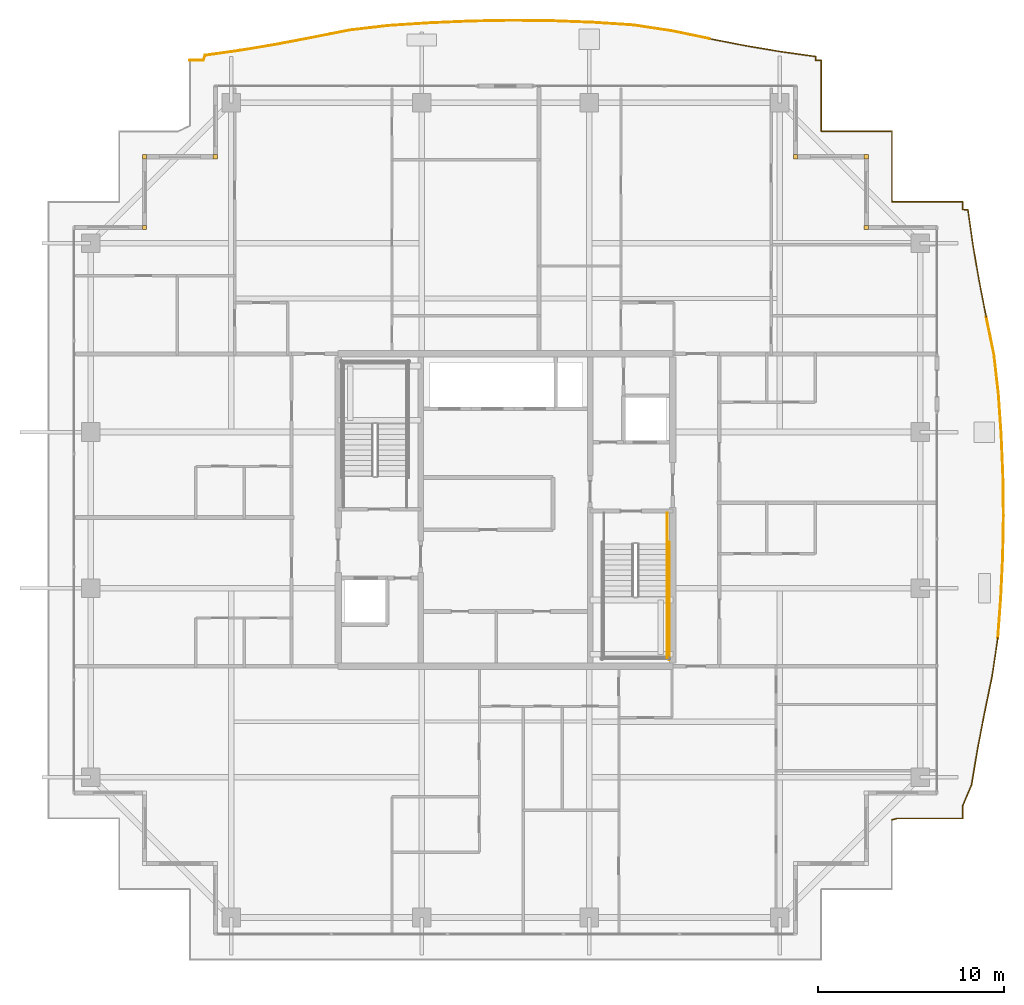
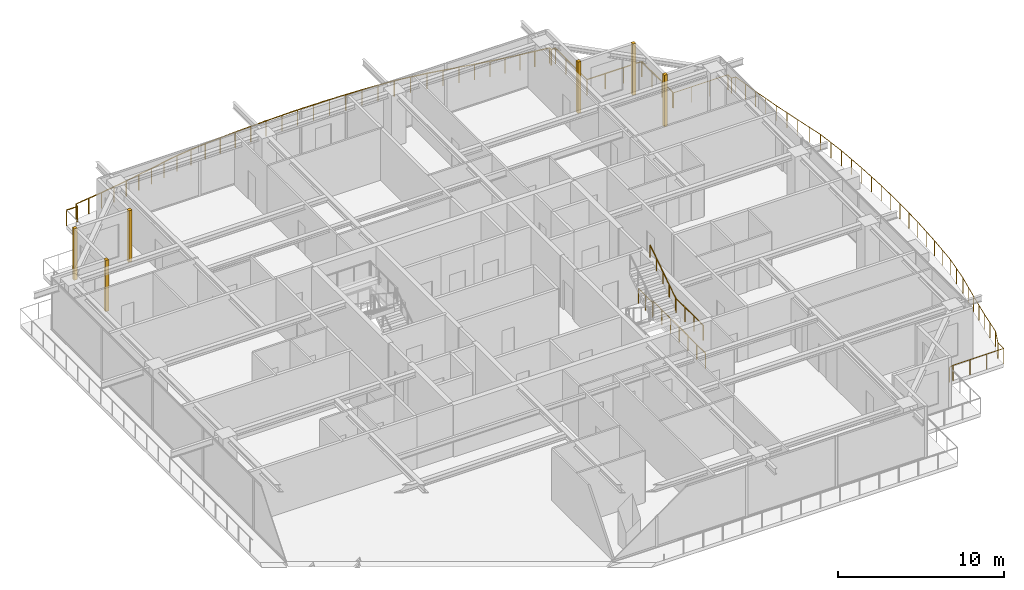
# One storey, part 39 of 39: 10 railings, 6 coverings.
"""IFC4 building model written with IfcOpenShell, lengths in metres."""

from ifc_helpers import new_model, si_unit, direction, frame, origin, origin_2d, place, context, subcontext, project, spatial, rectangle, circle, extrude, source, transform, mapped, material, layer, layer_set, type_object, element, save


model = new_model("IFC4")

# Units and contexts
model_context = context("Model", 3, precision=1e-05, world=origin(), true_north=direction((0.0, 1.0)))
body_context = subcontext(model_context, "Body", "Model", "MODEL_VIEW")
ifc_project = project(units=[si_unit("LENGTHUNIT", "METRE"), si_unit("AREAUNIT", "SQUARE_METRE"), si_unit("VOLUMEUNIT", "CUBIC_METRE"), si_unit("PLANEANGLEUNIT", "RADIAN"), si_unit("MASSUNIT", "GRAM", prefix="KILO")], contexts=[model_context])

# Site, building, storey
site_placement = place(None, origin())
site = spatial("IfcSite", under=ifc_project, at=site_placement, CompositionType="ELEMENT")
building_placement = place(site_placement, origin())
building = spatial("IfcBuilding", under=site, at=building_placement, Name="Serunith Strait Residences", CompositionType="ELEMENT")
storey_placement = place(building_placement, frame((0.0, 0.0, 329.89990234375)))
storey = spatial("IfcBuildingStorey", under=building, at=storey_placement, Name="L82", CompositionType="ELEMENT", Elevation=329.89990234375)

# Railings
ifc_material_1 = material(Name="Stainless Steel & Laminated Glass Balustrade", Category="steel")
railing_type_1 = type_object("IfcRailingType", Name="RLG-BALC-1150", PredefinedType="BALUSTRADE", material=ifc_material_1)
railing_1_placement = place(storey_placement, frame((15.419921875, 49.3798828125, -0.0498046875)))
element("IfcRailing", 1, at=railing_1_placement, inside=storey, type_object=railing_type_1, Name="L82 Swirling Balcony Perimeter Balustrade 1", PredefinedType="BALUSTRADE", context=body_context, shape_type="SweptSolid", body=[
    extrude(circle(Radius=0.02392578125, at=origin_2d()), frame((0.001953125, 0.0, 1.1259765625), z_axis=(1.0, 0.0, 0.0), x_axis=(0.0, 1.0, 0.0)), (0.0, 0.0, 1.0), 0.73095703125),
    extrude(circle(Radius=0.02392578125, at=origin_2d()), frame((0.735595703125, 0.001953125, 1.1259765625), z_axis=(0.314933225604, 0.949113830587, 0.0), x_axis=(-0.949113830587, 0.314933225604, 0.0)), (0.0, 0.0, 1.0), 0.279052734375),
    extrude(circle(Radius=0.02392578125, at=origin_2d()), frame((0.825927734375, 0.268798828125, 1.1259765625), z_axis=(0.990314843026, 0.138839877851, 0.0), x_axis=(-0.138839877851, 0.990314843026, 0.0)), (0.0, 0.0, 1.0), 1.916259765625),
    extrude(circle(Radius=0.02392578125, at=origin_2d()), frame((2.7275390625, 0.535400390625, 1.1259765625), z_axis=(0.986230662404, 0.165375574179, 0.0), x_axis=(-0.165375574179, 0.986230662404, 0.0)), (0.0, 0.0, 1.0), 1.941650390625),
    extrude(circle(Radius=0.02392578125, at=origin_2d()), frame((4.646484375, 0.857421875, 1.1259765625), z_axis=(0.982424451701, 0.186660645823, 0.0), x_axis=(-0.186660645823, 0.982424451701, 0.0)), (0.0, 0.0, 1.0), 1.984130859375),
    extrude(circle(Radius=0.02392578125, at=origin_2d()), frame((6.599609375, 1.228515625, 1.1259765625), z_axis=(0.98063114007, 0.195863644213, 0.0), x_axis=(-0.195863644213, 0.98063114007, 0.0)), (0.0, 0.0, 1.0), 2.04150390625),
    extrude(circle(Radius=0.02392578125, at=origin_2d()), frame((8.60546875, 1.62890625, 1.1259765625), z_axis=(0.9934461133, 0.114301443424, 0.0), x_axis=(-0.114301443424, 0.9934461133, 0.0)), (0.0, 0.0, 1.0), 2.121337890625),
    extrude(circle(Radius=0.02392578125, at=origin_2d()), frame((10.716796875, 1.871826171875, 1.1259765625), z_axis=(0.997902889953, 0.064728836105, 0.0), x_axis=(-0.064728836105, 0.997902889953, 0.0)), (0.0, 0.0, 1.0), 2.16845703125),
    extrude(circle(Radius=0.02099609375, at=origin_2d()), origin(), (0.0, 0.0, 1.0), 1.099853515625),
    extrude(circle(Radius=0.02099609375, at=origin_2d()), frame((0.73486328125, 0.0, 0.0)), (0.0, 0.0, 1.0), 1.099853515625),
    extrude(circle(Radius=0.02099609375, at=origin_2d()), frame((0.823974609375, 0.2685546875, 0.0)), (0.0, 0.0, 1.0), 1.099853515625),
    extrude(circle(Radius=0.02099609375, at=origin_2d()), frame((1.77490234375, 0.40185546875, 0.0)), (0.0, 0.0, 1.0), 1.099853515625),
    extrude(circle(Radius=0.02099609375, at=origin_2d()), frame((2.7255859375, 0.53515625, 0.0)), (0.0, 0.0, 1.0), 1.099853515625),
    extrude(circle(Radius=0.02099609375, at=origin_2d()), frame((3.68505859375, 0.696044921875, 0.0)), (0.0, 0.0, 1.0), 1.099853515625),
    extrude(circle(Radius=0.02099609375, at=origin_2d()), frame((4.64453125, 0.85693359375, 0.0)), (0.0, 0.0, 1.0), 1.099853515625),
    extrude(circle(Radius=0.02099609375, at=origin_2d()), frame((5.62109375, 1.04248046875, 0.0)), (0.0, 0.0, 1.0), 1.099853515625),
    extrude(circle(Radius=0.02099609375, at=origin_2d()), frame((6.59765625, 1.22802734375, 0.0)), (0.0, 0.0, 1.0), 1.099853515625),
    extrude(circle(Radius=0.02099609375, at=origin_2d()), frame((7.6005859375, 1.42822265625, 0.0)), (0.0, 0.0, 1.0), 1.099853515625),
    extrude(circle(Radius=0.02099609375, at=origin_2d()), frame((8.603515625, 1.628662109375, 0.0)), (0.0, 0.0, 1.0), 1.099853515625),
    extrude(circle(Radius=0.02099609375, at=origin_2d()), frame((9.6591796875, 1.75, 0.0)), (0.0, 0.0, 1.0), 1.099853515625),
    extrude(circle(Radius=0.02099609375, at=origin_2d()), frame((10.71484375, 1.87158203125, 0.0)), (0.0, 0.0, 1.0), 1.099853515625),
    extrude(circle(Radius=0.02099609375, at=origin_2d()), frame((11.798828125, 1.94189453125, 0.0)), (0.0, 0.0, 1.0), 1.099853515625),
    extrude(circle(Radius=0.02099609375, at=origin_2d()), frame((12.8828125, 2.01220703125, 0.0)), (0.0, 0.0, 1.0), 1.099853515625),
])
railing_2_placement = place(storey_placement, frame((28.302734375, 51.39208984375, -0.0498046875)))
element("IfcRailing", 2, at=railing_2_placement, inside=storey, type_object=railing_type_1, Name="L82 Swirling Balcony Perimeter Balustrade 2", PredefinedType="BALUSTRADE", context=body_context, shape_type="SweptSolid", body=[
    extrude(circle(Radius=0.02392578125, at=origin_2d()), frame((0.001953125, 0.0, 1.1259765625), z_axis=(0.99905069887, 0.043562611119, 0.0), x_axis=(-0.043562611119, 0.99905069887, 0.0)), (0.0, 0.0, 1.0), 2.19287109375),
    extrude(circle(Radius=0.02392578125, at=origin_2d()), frame((2.19677734375, 0.095703125, 1.1259765625), z_axis=(0.999837983712, 0.018000175762, 0.0), x_axis=(-0.018000175762, 0.999837983712, 0.0)), (0.0, 0.0, 1.0), 2.206787109375),
    extrude(circle(Radius=0.02392578125, at=origin_2d()), frame((4.4072265625, 0.135498046875, 1.1259765625), z_axis=(0.999948401246, -0.010158486408, 0.0), x_axis=(0.010158486408, 0.999948401246, 0.0)), (0.0, 0.0, 1.0), 2.20703125),
    extrude(circle(Radius=0.02392578125, at=origin_2d()), frame((6.6181640625, 0.113037109375, 1.1259765625), z_axis=(0.999248154639, -0.038770161864, 0.0), x_axis=(0.038770161864, 0.999248154639, 0.0)), (0.0, 0.0, 1.0), 2.193603515625),
    extrude(circle(Radius=0.02392578125, at=origin_2d()), frame((8.814208984375, 0.027587890625, 1.1259765625), z_axis=(0.997886449937, -0.064981790003, 0.0), x_axis=(0.064981790003, 0.997886449937, 0.0)), (0.0, 0.0, 1.0), 2.16748046875),
    extrude(circle(Radius=0.02392578125, at=origin_2d()), frame((10.981201171875, -0.113525390625, 1.1259765625), z_axis=(0.98863157781, -0.150358250049, 0.0), x_axis=(0.150358250049, 0.98863157781, 0.0)), (0.0, 0.0, 1.0), 2.10205078125),
    extrude(circle(Radius=0.02392578125, at=origin_2d()), frame((13.063232421875, -0.430419921875, 1.1259765625), z_axis=(0.979201960195, -0.202887952205, 0.0), x_axis=(0.202887952205, 0.979201960195, 0.0)), (0.0, 0.0, 1.0), 2.026123046875),
    extrude(circle(Radius=0.02099609375, at=origin_2d()), origin(), (0.0, 0.0, 1.0), 1.099853515625),
    extrude(circle(Radius=0.02099609375, at=origin_2d()), frame((1.097412109375, 0.0478515625, 0.0)), (0.0, 0.0, 1.0), 1.099853515625),
    extrude(circle(Radius=0.02099609375, at=origin_2d()), frame((2.19482421875, 0.095703125, 0.0)), (0.0, 0.0, 1.0), 1.099853515625),
    extrude(circle(Radius=0.02099609375, at=origin_2d()), frame((3.300048828125, 0.11572265625, 0.0)), (0.0, 0.0, 1.0), 1.099853515625),
    extrude(circle(Radius=0.02099609375, at=origin_2d()), frame((4.4052734375, 0.135498046875, 0.0)), (0.0, 0.0, 1.0), 1.099853515625),
    extrude(circle(Radius=0.02099609375, at=origin_2d()), frame((5.5107421875, 0.124267578125, 0.0)), (0.0, 0.0, 1.0), 1.099853515625),
    extrude(circle(Radius=0.02099609375, at=origin_2d()), frame((6.6162109375, 0.113037109375, 0.0)), (0.0, 0.0, 1.0), 1.099853515625),
    extrude(circle(Radius=0.02099609375, at=origin_2d()), frame((7.71435546875, 0.0703125, 0.0)), (0.0, 0.0, 1.0), 1.099853515625),
    extrude(circle(Radius=0.02099609375, at=origin_2d()), frame((8.812255859375, 0.02783203125, 0.0)), (0.0, 0.0, 1.0), 1.099853515625),
    extrude(circle(Radius=0.02099609375, at=origin_2d()), frame((9.895751953125, -0.042724609375, 0.0)), (0.0, 0.0, 1.0), 1.099853515625),
    extrude(circle(Radius=0.02099609375, at=origin_2d()), frame((10.979248046875, -0.11328125, 0.0)), (0.0, 0.0, 1.0), 1.099853515625),
    extrude(circle(Radius=0.02099609375, at=origin_2d()), frame((12.020263671875, -0.271484375, 0.0)), (0.0, 0.0, 1.0), 1.099853515625),
    extrude(circle(Radius=0.02099609375, at=origin_2d()), frame((13.061279296875, -0.429931640625, 0.0)), (0.0, 0.0, 1.0), 1.099853515625),
    extrude(circle(Radius=0.02099609375, at=origin_2d()), frame((14.05517578125, -0.6357421875, 0.0)), (0.0, 0.0, 1.0), 1.099853515625),
    extrude(circle(Radius=0.02099609375, at=origin_2d()), frame((15.049072265625, -0.841796875, 0.0)), (0.0, 0.0, 1.0), 1.099853515625),
])
railing_3_placement = place(storey_placement, frame((43.351806640625, 50.55029296875, -0.0498046875)))
element("IfcRailing", 3, at=railing_3_placement, inside=storey, type_object=railing_type_1, Name="L82 Swirling Balcony Perimeter Balustrade 3", PredefinedType="BALUSTRADE", context=body_context, shape_type="SweptSolid", body=[
    extrude(circle(Radius=0.02392578125, at=origin_2d()), frame((0.001953125, -0.00048828125, 1.1259765625), z_axis=(0.981576726754, -0.191068389575, 0.0), x_axis=(0.191068389575, 0.981576726754, 0.0)), (0.0, 0.0, 1.0), 1.96875),
    extrude(circle(Radius=0.02392578125, at=origin_2d()), frame((1.9384765625, -0.377197265625, 1.1259765625), z_axis=(0.986005489107, -0.166712853288, 0.0), x_axis=(0.166712853288, 0.986005489107, 0.0)), (0.0, 0.0, 1.0), 1.928955078125),
    extrude(circle(Radius=0.02392578125, at=origin_2d()), frame((3.844482421875, -0.699462890625, 1.1259765625), z_axis=(0.990503876675, -0.13748480022, 0.0), x_axis=(0.13748480022, 0.990503876675, 0.0)), (0.0, 0.0, 1.0), 1.90673828125),
    extrude(circle(Radius=0.02392578125, at=origin_2d()), frame((5.735107421875, -0.9638671875, 1.1259765625), z_axis=(-0.010538056509, -0.999944473141, 0.0), x_axis=(0.999944473141, -0.010538056509, 0.0)), (0.0, 0.0, 1.0), 0.20458984375),
    extrude(circle(Radius=0.02392578125, at=origin_2d()), frame((5.73486328125, -1.17041015625, 1.1259765625), z_axis=(1.0, 0.0, 0.0), x_axis=(0.0, 1.0, 0.0)), (0.0, 0.0, 1.0), 0.291259765625),
    extrude(circle(Radius=0.02392578125, at=origin_2d()), frame((6.028076171875, -1.17236328125, 1.1259765625), z_axis=(0.0, -1.0, 0.0), x_axis=(1.0, 0.0, 0.0)), (0.0, 0.0, 1.0), 3.7958984375),
    extrude(circle(Radius=0.02392578125, at=origin_2d()), frame((6.030029296875, -4.97021484375, 1.1259765625), z_axis=(1.0, 0.0, 0.0), x_axis=(0.0, 1.0, 0.0)), (0.0, 0.0, 1.0), 3.796142578125),
    extrude(circle(Radius=0.02392578125, at=origin_2d()), frame((9.828125, -4.97216796875, 1.1259765625), z_axis=(0.0, -1.0, 0.0), x_axis=(1.0, 0.0, 0.0)), (0.0, 0.0, 1.0), 3.699951171875),
    extrude(circle(Radius=0.02099609375, at=origin_2d()), origin(), (0.0, 0.0, 1.0), 1.099853515625),
    extrude(circle(Radius=0.02099609375, at=origin_2d()), frame((0.96826171875, -0.1884765625, 0.0)), (0.0, 0.0, 1.0), 1.099853515625),
    extrude(circle(Radius=0.02099609375, at=origin_2d()), frame((1.9365234375, -0.376953125, 0.0)), (0.0, 0.0, 1.0), 1.099853515625),
    extrude(circle(Radius=0.02099609375, at=origin_2d()), frame((2.8896484375, -0.5380859375, 0.0)), (0.0, 0.0, 1.0), 1.099853515625),
    extrude(circle(Radius=0.02099609375, at=origin_2d()), frame((3.842529296875, -0.69921875, 0.0)), (0.0, 0.0, 1.0), 1.099853515625),
    extrude(circle(Radius=0.02099609375, at=origin_2d()), frame((4.788818359375, -0.83056640625, 0.0)), (0.0, 0.0, 1.0), 1.099853515625),
    extrude(circle(Radius=0.02099609375, at=origin_2d()), frame((5.735107421875, -0.9619140625, 0.0)), (0.0, 0.0, 1.0), 1.099853515625),
    extrude(circle(Radius=0.02099609375, at=origin_2d()), frame((5.73291015625, -1.17041015625, 0.0)), (0.0, 0.0, 1.0), 1.099853515625),
    extrude(circle(Radius=0.02099609375, at=origin_2d()), frame((6.028076171875, -1.17041015625, 0.0)), (0.0, 0.0, 1.0), 1.099853515625),
    extrude(circle(Radius=0.02099609375, at=origin_2d()), frame((6.028076171875, -2.43701171875, 0.0)), (0.0, 0.0, 1.0), 1.099853515625),
    extrude(circle(Radius=0.02099609375, at=origin_2d()), frame((6.028076171875, -3.70361328125, 0.0)), (0.0, 0.0, 1.0), 1.099853515625),
    extrude(circle(Radius=0.02099609375, at=origin_2d()), frame((6.028076171875, -4.97021484375, 0.0)), (0.0, 0.0, 1.0), 1.099853515625),
    extrude(circle(Radius=0.02099609375, at=origin_2d()), frame((7.294677734375, -4.97021484375, 0.0)), (0.0, 0.0, 1.0), 1.099853515625),
    extrude(circle(Radius=0.02099609375, at=origin_2d()), frame((8.5615234375, -4.97021484375, 0.0)), (0.0, 0.0, 1.0), 1.099853515625),
    extrude(circle(Radius=0.02099609375, at=origin_2d()), frame((9.828125, -4.97021484375, 0.0)), (0.0, 0.0, 1.0), 1.099853515625),
    extrude(circle(Radius=0.02099609375, at=origin_2d()), frame((9.828125, -6.204833984375, 0.0)), (0.0, 0.0, 1.0), 1.099853515625),
    extrude(circle(Radius=0.02099609375, at=origin_2d()), frame((9.828125, -7.439453125, 0.0)), (0.0, 0.0, 1.0), 1.099853515625),
    extrude(circle(Radius=0.02099609375, at=origin_2d()), frame((9.828125, -8.674072265625, 0.0)), (0.0, 0.0, 1.0), 1.099853515625),
])
railing_4_placement = place(storey_placement, frame((53.179931640625, 41.876220703125, -0.0498046875)))
element("IfcRailing", 4, at=railing_4_placement, inside=storey, type_object=railing_type_1, Name="L82 Swirling Balcony Perimeter Balustrade 4", PredefinedType="BALUSTRADE", context=body_context, shape_type="SweptSolid", body=[
    extrude(circle(Radius=0.02392578125, at=origin_2d()), frame((0.000244140625, -0.001953125, 1.1259765625), z_axis=(0.150548620231, -0.98860260618, 0.0), x_axis=(0.98860260618, 0.150548620231, 0.0)), (0.0, 0.0, 1.0), 0.09326171875),
    extrude(circle(Radius=0.02392578125, at=origin_2d()), frame((0.0166015625, -0.09619140625, 1.1259765625), z_axis=(1.0, 0.0, 0.0), x_axis=(0.0, 1.0, 0.0)), (0.0, 0.0, 1.0), 3.781494140625),
    extrude(circle(Radius=0.02392578125, at=origin_2d()), frame((3.800048828125, -0.09814453125, 1.1259765625), z_axis=(0.0, -1.0, 0.0), x_axis=(1.0, 0.0, 0.0)), (0.0, 0.0, 1.0), 0.4111328125),
    extrude(circle(Radius=0.02392578125, at=origin_2d()), frame((3.802001953125, -0.51123046875, 1.1259765625), z_axis=(0.998205868071, -0.059875244871, 0.0), x_axis=(0.059875244871, 0.998205868071, 0.0)), (0.0, 0.0, 1.0), 0.281494140625),
    extrude(circle(Radius=0.02392578125, at=origin_2d()), frame((4.085205078125, -0.5302734375, 1.1259765625), z_axis=(0.141830936613, -0.989890895715, 0.0), x_axis=(0.989890895715, 0.141830936613, 0.0)), (0.0, 0.0, 1.0), 1.915283203125),
    extrude(circle(Radius=0.02392578125, at=origin_2d()), frame((4.357421875, -2.43017578125, 1.1259765625), z_axis=(0.16995315265, -0.985452142879, 0.0), x_axis=(0.985452142879, 0.16995315265, 0.0)), (0.0, 0.0, 1.0), 1.941162109375),
    extrude(circle(Radius=0.02392578125, at=origin_2d()), frame((4.688232421875, -4.346923828125, 1.1259765625), z_axis=(0.192358796063, -0.981324662676, 0.0), x_axis=(0.981324662676, 0.192358796063, 0.0)), (0.0, 0.0, 1.0), 1.983642578125),
    extrude(circle(Radius=0.02099609375, at=origin_2d()), origin(), (0.0, 0.0, 1.0), 1.099853515625),
    extrude(circle(Radius=0.02099609375, at=origin_2d()), frame((0.0146484375, -0.09619140625, 0.0)), (0.0, 0.0, 1.0), 1.099853515625),
    extrude(circle(Radius=0.02099609375, at=origin_2d()), frame((1.2763671875, -0.09619140625, 0.0)), (0.0, 0.0, 1.0), 1.099853515625),
    extrude(circle(Radius=0.02099609375, at=origin_2d()), frame((2.538330078125, -0.09619140625, 0.0)), (0.0, 0.0, 1.0), 1.099853515625),
    extrude(circle(Radius=0.02099609375, at=origin_2d()), frame((3.800048828125, -0.09619140625, 0.0)), (0.0, 0.0, 1.0), 1.099853515625),
    extrude(circle(Radius=0.02099609375, at=origin_2d()), frame((3.800048828125, -0.51123046875, 0.0)), (0.0, 0.0, 1.0), 1.099853515625),
    extrude(circle(Radius=0.02099609375, at=origin_2d()), frame((4.0849609375, -0.5283203125, 0.0)), (0.0, 0.0, 1.0), 1.099853515625),
    extrude(circle(Radius=0.02099609375, at=origin_2d()), frame((4.22119140625, -1.478271484375, 0.0)), (0.0, 0.0, 1.0), 1.099853515625),
    extrude(circle(Radius=0.02099609375, at=origin_2d()), frame((4.357177734375, -2.42822265625, 0.0)), (0.0, 0.0, 1.0), 1.099853515625),
    extrude(circle(Radius=0.02099609375, at=origin_2d()), frame((4.5224609375, -3.38671875, 0.0)), (0.0, 0.0, 1.0), 1.099853515625),
    extrude(circle(Radius=0.02099609375, at=origin_2d()), frame((4.687744140625, -4.344970703125, 0.0)), (0.0, 0.0, 1.0), 1.099853515625),
    extrude(circle(Radius=0.02099609375, at=origin_2d()), frame((4.87890625, -5.3203125, 0.0)), (0.0, 0.0, 1.0), 1.099853515625),
    extrude(circle(Radius=0.02099609375, at=origin_2d()), frame((5.070068359375, -6.29541015625, 0.0)), (0.0, 0.0, 1.0), 1.099853515625),
])
railing_5_placement = place(storey_placement, frame((58.25, 35.580810546875, -0.0498046875)))
element("IfcRailing", 5, at=railing_5_placement, inside=storey, type_object=railing_type_1, Name="L82 Swirling Balcony Perimeter Balustrade 5", PredefinedType="BALUSTRADE", context=body_context, shape_type="SweptSolid", body=[
    extrude(circle(Radius=0.02392578125, at=origin_2d()), frame((0.00048828125, -0.001953125, 1.1259765625), z_axis=(0.20214784902, -0.979355015884, 0.0), x_axis=(0.979355015884, 0.20214784902, 0.0)), (0.0, 0.0, 1.0), 2.0419921875),
    extrude(circle(Radius=0.02392578125, at=origin_2d()), frame((0.413818359375, -2.005615234375, 1.1259765625), z_axis=(0.113782974491, -0.99350562893, 0.0), x_axis=(0.99350562893, 0.113782974491, 0.0)), (0.0, 0.0, 1.0), 2.122314453125),
    extrude(circle(Radius=0.02392578125, at=origin_2d()), frame((0.65576171875, -4.1181640625, 1.1259765625), z_axis=(0.068562927462, -0.997646793699, 0.0), x_axis=(0.997646793699, 0.068562927462, 0.0)), (0.0, 0.0, 1.0), 2.168212890625),
    extrude(circle(Radius=0.02392578125, at=origin_2d()), frame((0.804443359375, -6.28515625, 1.1259765625), z_axis=(0.043220252011, -0.999065568327, 0.0), x_axis=(0.999065568327, 0.043220252011, 0.0)), (0.0, 0.0, 1.0), 2.193359375),
    extrude(circle(Radius=0.02392578125, at=origin_2d()), frame((0.8994140625, -8.48046875, 1.1259765625), z_axis=(0.013254110157, -0.999912160424, 0.0), x_axis=(0.999912160424, 0.013254110157, 0.0)), (0.0, 0.0, 1.0), 2.206298828125),
    extrude(circle(Radius=0.02392578125, at=origin_2d()), frame((0.9287109375, -10.690673828125, 1.1259765625), z_axis=(-0.018347563244, -0.999831669294, 0.0), x_axis=(0.999831669294, -0.018347563244, 0.0)), (0.0, 0.0, 1.0), 2.204833984375),
    extrude(circle(Radius=0.02392578125, at=origin_2d()), frame((0.88818359375, -12.899169921875, 1.1259765625), z_axis=(-0.048099429575, -0.998842552595, 0.0), x_axis=(0.998842552595, -0.048099429575, 0.0)), (0.0, 0.0, 1.0), 2.188720703125),
    extrude(circle(Radius=0.02392578125, at=origin_2d()), frame((0.782470703125, -15.08935546875, 1.1259765625), z_axis=(-0.073298454628, -0.99731005036, 0.0), x_axis=(0.99731005036, -0.073298454628, 0.0)), (0.0, 0.0, 1.0), 2.160888671875),
    extrude(circle(Radius=0.02099609375, at=origin_2d()), origin(), (0.0, 0.0, 1.0), 1.099853515625),
    extrude(circle(Radius=0.02099609375, at=origin_2d()), frame((0.206787109375, -1.001953125, 0.0)), (0.0, 0.0, 1.0), 1.099853515625),
    extrude(circle(Radius=0.02099609375, at=origin_2d()), frame((0.41357421875, -2.003662109375, 0.0)), (0.0, 0.0, 1.0), 1.099853515625),
    extrude(circle(Radius=0.02099609375, at=origin_2d()), frame((0.53466796875, -3.06005859375, 0.0)), (0.0, 0.0, 1.0), 1.099853515625),
    extrude(circle(Radius=0.02099609375, at=origin_2d()), frame((0.655517578125, -4.1162109375, 0.0)), (0.0, 0.0, 1.0), 1.099853515625),
    extrude(circle(Radius=0.02099609375, at=origin_2d()), frame((0.72998046875, -5.19970703125, 0.0)), (0.0, 0.0, 1.0), 1.099853515625),
    extrude(circle(Radius=0.02099609375, at=origin_2d()), frame((0.804443359375, -6.283203125, 0.0)), (0.0, 0.0, 1.0), 1.099853515625),
    extrude(circle(Radius=0.02099609375, at=origin_2d()), frame((0.85205078125, -7.380859375, 0.0)), (0.0, 0.0, 1.0), 1.099853515625),
    extrude(circle(Radius=0.02099609375, at=origin_2d()), frame((0.8994140625, -8.478515625, 0.0)), (0.0, 0.0, 1.0), 1.099853515625),
    extrude(circle(Radius=0.02099609375, at=origin_2d()), frame((0.9140625, -9.58349609375, 0.0)), (0.0, 0.0, 1.0), 1.099853515625),
    extrude(circle(Radius=0.02099609375, at=origin_2d()), frame((0.9287109375, -10.688720703125, 0.0)), (0.0, 0.0, 1.0), 1.099853515625),
    extrude(circle(Radius=0.02099609375, at=origin_2d()), frame((0.908447265625, -11.79296875, 0.0)), (0.0, 0.0, 1.0), 1.099853515625),
    extrude(circle(Radius=0.02099609375, at=origin_2d()), frame((0.88818359375, -12.897216796875, 0.0)), (0.0, 0.0, 1.0), 1.099853515625),
    extrude(circle(Radius=0.02099609375, at=origin_2d()), frame((0.83544921875, -13.9921875, 0.0)), (0.0, 0.0, 1.0), 1.099853515625),
    extrude(circle(Radius=0.02099609375, at=origin_2d()), frame((0.78271484375, -15.08740234375, 0.0)), (0.0, 0.0, 1.0), 1.099853515625),
    extrude(circle(Radius=0.02099609375, at=origin_2d()), frame((0.703369140625, -16.1669921875, 0.0)), (0.0, 0.0, 1.0), 1.099853515625),
    extrude(circle(Radius=0.02099609375, at=origin_2d()), frame((0.6240234375, -17.24658203125, 0.0)), (0.0, 0.0, 1.0), 1.099853515625),
])
railing_6_placement = place(storey_placement, frame((58.8740234375, 18.334228515625, -0.0498046875)))
element("IfcRailing", 6, at=railing_6_placement, inside=storey, type_object=railing_type_1, Name="L82 Swirling Balcony Perimeter Balustrade 6", PredefinedType="BALUSTRADE", context=body_context, shape_type="SweptSolid", body=[
    extrude(circle(Radius=0.02392578125, at=origin_2d()), frame((-0.000244140625, -0.001953125, 1.1259765625), z_axis=(-0.147721909688, -0.989028936583, 0.0), x_axis=(0.989028936583, -0.147721909688, 0.0)), (0.0, 0.0, 1.0), 2.099853515625),
    extrude(circle(Radius=0.02392578125, at=origin_2d()), frame((-0.311279296875, -2.082763671875, 1.1259765625), z_axis=(-0.202868199183, -0.979206052759, 0.0), x_axis=(0.979206052759, -0.202868199183, 0.0)), (0.0, 0.0, 1.0), 2.02490234375),
    extrude(circle(Radius=0.02392578125, at=origin_2d()), frame((-0.722900390625, -4.069580078125, 1.1259765625), z_axis=(-0.189260296962, -0.981926952473, 0.0), x_axis=(0.981926952473, -0.189260296962, 0.0)), (0.0, 0.0, 1.0), 1.9697265625),
    extrude(circle(Radius=0.02392578125, at=origin_2d()), frame((-1.09619140625, -6.007568359375, 1.1259765625), z_axis=(-0.164521743095, -0.986373456683, 0.0), x_axis=(0.986373456683, -0.164521743095, 0.0)), (0.0, 0.0, 1.0), 1.93115234375),
    extrude(circle(Radius=0.02392578125, at=origin_2d()), frame((-1.4150390625, -7.916259765625, 1.1259765625), z_axis=(-0.394500742287, -0.918895622111, 0.0), x_axis=(0.918895622111, -0.394500742287, 0.0)), (0.0, 0.0, 1.0), 1.212158203125),
    extrude(circle(Radius=0.02392578125, at=origin_2d()), frame((-1.89404296875, -9.03369140625, 1.1259765625), z_axis=(0.0, -1.0, 0.0), x_axis=(1.0, 0.0, 0.0)), (0.0, 0.0, 1.0), 0.678466796875),
    extrude(circle(Radius=0.02392578125, at=origin_2d()), frame((-1.89599609375, -9.714111328125, 1.1259765625), z_axis=(-1.0, 0.0, 0.0), x_axis=(0.0, -1.0, 0.0)), (0.0, 0.0, 1.0), 3.508056640625),
    extrude(circle(Radius=0.02392578125, at=origin_2d()), frame((-5.407958984375, -9.714599609375, 1.1259765625), z_axis=(-0.969754525181, -0.244082283033, 0.0), x_axis=(0.244082283033, -0.969754525181, 0.0)), (0.0, 0.0, 1.0), 0.29296875),
    extrude(circle(Radius=0.02099609375, at=origin_2d()), origin(), (0.0, 0.0, 1.0), 1.099853515625),
    extrude(circle(Radius=0.02099609375, at=origin_2d()), frame((-0.1552734375, -1.04052734375, 0.0)), (0.0, 0.0, 1.0), 1.099853515625),
    extrude(circle(Radius=0.02099609375, at=origin_2d()), frame((-0.310791015625, -2.080810546875, 0.0)), (0.0, 0.0, 1.0), 1.099853515625),
    extrude(circle(Radius=0.02099609375, at=origin_2d()), frame((-0.5166015625, -3.07421875, 0.0)), (0.0, 0.0, 1.0), 1.099853515625),
    extrude(circle(Radius=0.02099609375, at=origin_2d()), frame((-0.722412109375, -4.067626953125, 0.0)), (0.0, 0.0, 1.0), 1.099853515625),
    extrude(circle(Radius=0.02099609375, at=origin_2d()), frame((-0.9091796875, -5.03662109375, 0.0)), (0.0, 0.0, 1.0), 1.099853515625),
    extrude(circle(Radius=0.02099609375, at=origin_2d()), frame((-1.095947265625, -6.005615234375, 0.0)), (0.0, 0.0, 1.0), 1.099853515625),
    extrude(circle(Radius=0.02099609375, at=origin_2d()), frame((-1.255126953125, -6.9599609375, 0.0)), (0.0, 0.0, 1.0), 1.099853515625),
    extrude(circle(Radius=0.02099609375, at=origin_2d()), frame((-1.414306640625, -7.914306640625, 0.0)), (0.0, 0.0, 1.0), 1.099853515625),
    extrude(circle(Radius=0.02099609375, at=origin_2d()), frame((-1.89404296875, -9.03173828125, 0.0)), (0.0, 0.0, 1.0), 1.099853515625),
    extrude(circle(Radius=0.02099609375, at=origin_2d()), frame((-1.89404296875, -9.714111328125, 0.0)), (0.0, 0.0, 1.0), 1.099853515625),
    extrude(circle(Radius=0.02099609375, at=origin_2d()), frame((-3.064697265625, -9.714111328125, 0.0)), (0.0, 0.0, 1.0), 1.099853515625),
    extrude(circle(Radius=0.02099609375, at=origin_2d()), frame((-4.2353515625, -9.714111328125, 0.0)), (0.0, 0.0, 1.0), 1.099853515625),
    extrude(circle(Radius=0.02099609375, at=origin_2d()), frame((-5.406005859375, -9.714111328125, 0.0)), (0.0, 0.0, 1.0), 1.099853515625),
    extrude(circle(Radius=0.02099609375, at=origin_2d()), frame((-5.694091796875, -9.78662109375, 0.0)), (0.0, 0.0, 1.0), 1.099853515625),
])
ifc_material_2 = material(Name="Brushed stainless steel 316L", Category="steel")
railing_type_2 = type_object("IfcRailingType", Name="RLG-STAIR-GUARD", PredefinedType="BALUSTRADE", material=ifc_material_2)
railing_7_placement = place(storey_placement, frame((41.10009765625, 20.570068359375, 2.025146484375)))
element("IfcRailing", 7, at=railing_7_placement, inside=storey, type_object=railing_type_2, Name="L82 ST-2 stair guard 4", PredefinedType="BALUSTRADE", context=body_context, shape_type="SweptSolid", body=[
    extrude(circle(Radius=0.02392578125, at=origin_2d()), frame((0.0, -0.001953125, 1.076171875), z_axis=(0.0, -1.0, 0.0), x_axis=(1.0, 0.0, 0.0)), (0.0, 0.0, 1.0), 3.316162109375),
    extrude(circle(Radius=0.02099609375, at=origin_2d()), origin(), (0.0, 0.0, 1.0), 1.050048828125),
    extrude(circle(Radius=0.02099609375, at=origin_2d()), frame((0.0, -1.106689453125, 0.0)), (0.0, 0.0, 1.0), 1.050048828125),
    extrude(circle(Radius=0.02099609375, at=origin_2d()), frame((0.0, -2.21337890625, 0.0)), (0.0, 0.0, 1.0), 1.050048828125),
    extrude(circle(Radius=0.02099609375, at=origin_2d()), frame((0.0, -3.320068359375, 0.0)), (0.0, 0.0, 1.0), 1.050048828125),
])
railing_8_placement = place(storey_placement, frame((41.10009765625, 25.050048828125, 0.0)))
element("IfcRailing", 8, at=railing_8_placement, inside=storey, type_object=railing_type_2, Name="L82 ST-2 stair guard 9", PredefinedType="BALUSTRADE", context=body_context, shape_type="SweptSolid", body=[
    extrude(circle(Radius=0.02392578125, at=origin_2d()), frame((0.0, -0.001953125, 1.076171875), z_axis=(0.0, -1.0, 0.0), x_axis=(1.0, 0.0, 0.0)), (0.0, 0.0, 1.0), 1.676025390625),
    extrude(circle(Radius=0.02099609375, at=origin_2d()), origin(), (0.0, 0.0, 1.0), 1.050048828125),
    extrude(circle(Radius=0.02099609375, at=origin_2d()), frame((0.0, -0.83984375, 0.0)), (0.0, 0.0, 1.0), 1.050048828125),
    extrude(circle(Radius=0.02099609375, at=origin_2d()), frame((0.0, -1.679931640625, 0.0)), (0.0, 0.0, 1.0), 1.050048828125),
])
railing_9_placement = place(storey_placement, frame((41.199951171875, 23.469970703125, 0.0)))
element("IfcRailing", 9, at=railing_9_placement, inside=storey, type_object=railing_type_2, Name="L82 ST-2 stair guard 11", PredefinedType="BALUSTRADE", context=body_context, shape_type="SweptSolid", body=[
    extrude(circle(Radius=0.02392578125, at=origin_2d()), frame((0.0, -0.001953125, 1.076171875), z_axis=(0.0, -1.0, 0.0), x_axis=(1.0, 0.0, 0.0)), (0.0, 0.0, 1.0), 6.316162109375),
    extrude(circle(Radius=0.02099609375, at=origin_2d()), origin(), (0.0, 0.0, 1.0), 1.050048828125),
    extrude(circle(Radius=0.02099609375, at=origin_2d()), frame((0.0, -1.05322265625, 0.0)), (0.0, 0.0, 1.0), 1.050048828125),
    extrude(circle(Radius=0.02099609375, at=origin_2d()), frame((0.0, -2.106689453125, 0.0)), (0.0, 0.0, 1.0), 1.050048828125),
    extrude(circle(Radius=0.02099609375, at=origin_2d()), frame((0.0, -3.16015625, 0.0)), (0.0, 0.0, 1.0), 1.050048828125),
    extrude(circle(Radius=0.02099609375, at=origin_2d()), frame((0.0, -4.21337890625, 0.0)), (0.0, 0.0, 1.0), 1.050048828125),
    extrude(circle(Radius=0.02099609375, at=origin_2d()), frame((0.0, -5.2666015625, 0.0)), (0.0, 0.0, 1.0), 1.050048828125),
    extrude(circle(Radius=0.02099609375, at=origin_2d()), frame((0.0, -6.320068359375, 0.0)), (0.0, 0.0, 1.0), 1.050048828125),
])
railing_type_3 = type_object("IfcRailingType", Name="RLG-STAIR-HR", PredefinedType="HANDRAIL", material=ifc_material_2)
railing_10_placement = place(storey_placement, frame((41.10009765625, 20.570068359375, 2.209228515625)))
element("IfcRailing", 10, at=railing_10_placement, inside=storey, type_object=railing_type_3, Name="L82 ST-2 stair handrail 2", PredefinedType="HANDRAIL", context=body_context, shape_type="SweptSolid", body=[
    extrude(circle(Radius=0.02392578125, at=origin_2d()), frame((0.0, 0.001708984375, 0.876953125), z_axis=(0.0, 0.834940924727, 0.550339579002), x_axis=(-1.0, 0.0, 0.0)), (0.0, 0.0, 1.0), 3.6845703125),
    extrude(circle(Radius=0.02099609375, at=origin_2d()), origin(), (0.0, 0.0, 1.0), 0.849853515625),
    extrude(circle(Radius=0.02099609375, at=origin_2d()), frame((0.0, 0.77001953125, 0.507568359375)), (0.0, 0.0, 1.0), 0.849853515625),
    extrude(circle(Radius=0.02099609375, at=origin_2d()), frame((0.0, 1.5400390625, 1.01513671875)), (0.0, 0.0, 1.0), 0.849853515625),
    extrude(circle(Radius=0.02099609375, at=origin_2d()), frame((0.0, 2.309814453125, 1.5224609375)), (0.0, 0.0, 1.0), 0.849853515625),
    extrude(circle(Radius=0.02099609375, at=origin_2d()), frame((0.0, 3.079833984375, 2.030029296875)), (0.0, 0.0, 1.0), 0.849853515625),
])

# Coverings
ifc_material_3 = material(Name="Pale-Champagne Anodised Aluminium", Category="aluminium")
ifc_layer = layer(ifc_material_3, 0.219970703125, Name="Pale-Champagne Anodised Aluminium")
ifc_layer_set = layer_set([ifc_layer], Name="Pale-Champagne Anodised Aluminium")
covering_type = type_object("IfcCoveringType", Name="COV-CORN-TRIM", PredefinedType="CLADDING", material=ifc_layer_set)
shared_shape = source(origin(), body_context, "Body", "SweptSolid", [
    extrude(rectangle(XDim=0.221923828125, YDim=0.221923828125, at=origin_2d()), origin(), (0.0, 0.0, 1.0), 3.77490234375),
])
for number, where, z_axis, x_axis, name in (
    (11, (51.800048828125, 40.39990234375, 0.000244140625), (0.0, 0.0, 1.0), (1.0, 0.0, 0.0), "L82 Girih Serrated Corner Trim Post 07"),
    (12, (51.800048828125, 44.199951171875, 0.000244140625), (0.0, 0.0, 1.0), (1.0, 0.0, 0.0), "L82 Girih Serrated Corner Trim Post 08"),
    (13, (48.0, 44.199951171875, 0.000244140625), (0.0, 0.0, 1.0), (1.0, 0.0, 0.0), "L82 Girih Serrated Corner Trim Post 09"),
    (14, (16.800048828125, 44.199951171875, 0.000244140625), (0.0, 0.0, 1.0), (1.0, 0.0, 0.0), "L82 Girih Serrated Corner Trim Post 12"),
    (15, (13.0, 44.199951171875, 0.000244140625), (0.0, 0.0, 1.0), (1.0, 0.0, 0.0), "L82 Girih Serrated Corner Trim Post 13"),
    (16, (13.0, 40.39990234375, 0.000244140625), (0.0, 0.0, 1.0), (1.0, 0.0, 0.0), "L82 Girih Serrated Corner Trim Post 14"),
):
    element("IfcCovering", number, at=place(storey_placement, frame(where, z_axis=z_axis, x_axis=x_axis)), inside=storey, type_object=covering_type, Name=name, PredefinedType="CLADDING", context=body_context, shape_type="MappedRepresentation", body=[
        mapped(shared_shape, transform((0.0, 0.0, 0.0), scale=1.0)),
    ])

save(model, "model.ifc")
